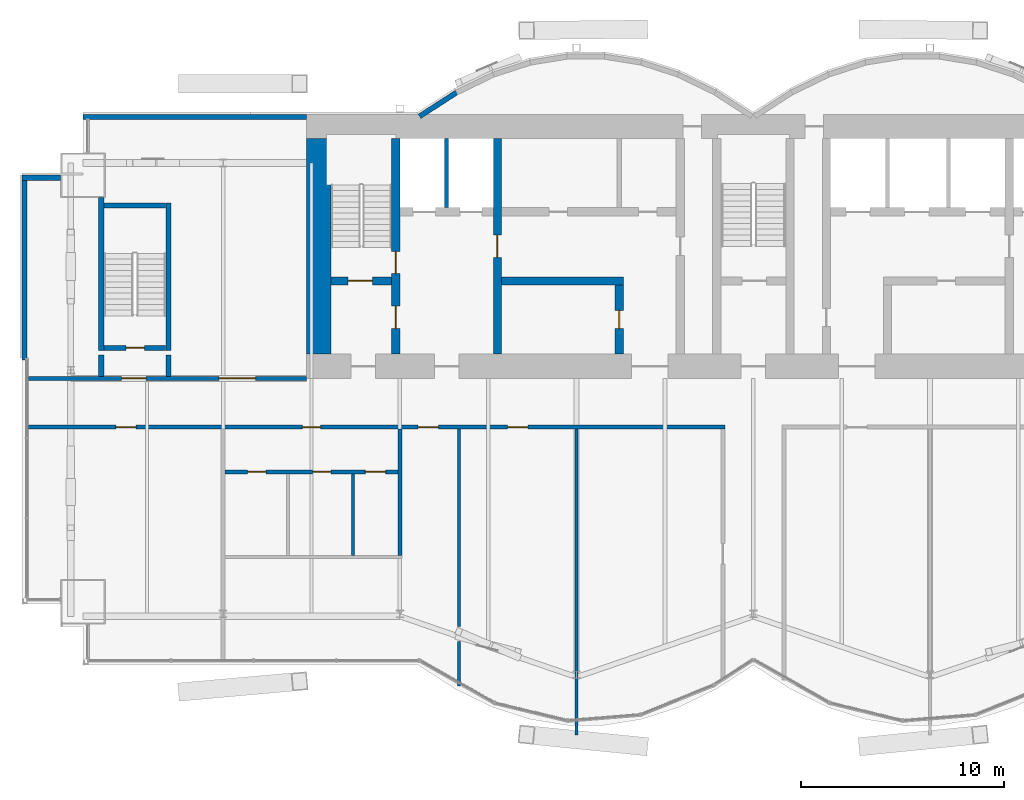
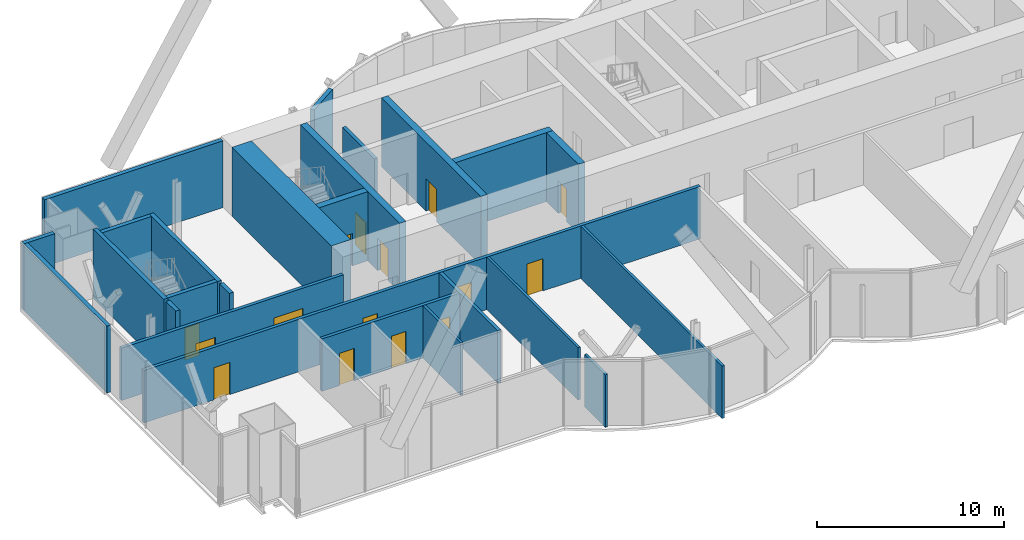
# One storey, part 13 of 19: 25 walls, 15 doors, 15 openings.
"""IFC4 building model written with IfcOpenShell, lengths in metres."""

from ifc_helpers import new_model, si_unit, direction, frame, frame_2d, origin, place, context, subcontext, project, spatial, rectangle, extrude, material, layer, layer_set, layer_usage, type_object, element, fill, save


model = new_model("IFC4")

# Units and contexts
model_context = context("Model", 3, precision=1e-05, world=origin(), true_north=direction((0.0, 1.0)))
body_context = subcontext(model_context, "Body", "Model", "MODEL_VIEW")
ifc_project = project(units=[si_unit("LENGTHUNIT", "METRE"), si_unit("AREAUNIT", "SQUARE_METRE"), si_unit("VOLUMEUNIT", "CUBIC_METRE"), si_unit("PLANEANGLEUNIT", "RADIAN"), si_unit("MASSUNIT", "GRAM", prefix="KILO")], contexts=[model_context])

# Site, building, storey
site_placement = place(None, origin())
site = spatial("IfcSite", under=ifc_project, at=site_placement, CompositionType="ELEMENT")
building_placement = place(site_placement, origin())
building = spatial("IfcBuilding", under=site, at=building_placement, Name="Bicima Exchange Tower", CompositionType="ELEMENT")
storey_placement = place(building_placement, frame((0.0, 0.0, 297.5)))
storey = spatial("IfcBuildingStorey", under=building, at=storey_placement, Name="L67", CompositionType="ELEMENT", Elevation=297.5)

# Wall
ifc_material_1 = material(Name="Gypsum board partition")
ifc_layer_1 = layer(ifc_material_1, 0.199951171875)
ifc_layer_set_1 = layer_set([ifc_layer_1], Name="Gypsum board partition")
wall_type_1 = type_object("IfcWallType", Name="Fire-rated gypsum partition 200 EI120", PredefinedType="PARTITIONING", material=ifc_layer_set_1)
wall_1_placement = place(storey_placement, frame((-15.10009765625, -4.60009765625, 0.0), z_axis=(0.0, 0.0, 1.0), x_axis=(0.0, 1.0, 0.0)))
element("IfcWall", 1, at=wall_1_placement, inside=storey, type_object=wall_type_1, Name="partition wall 9", PredefinedType="PARTITIONING", context=body_context, shape_type="SweptSolid", body=[
    extrude(rectangle(XDim=3.400146484375, YDim=0.199951171875, at=frame_2d((1.7001953125, 0.0))), origin(), (0.0, 0.0, 1.0), 3.418212890625),
])

# Wall, openings, doors
ifc_layer_2 = layer(ifc_material_1, 0.199951171875)
ifc_layer_set_2 = layer_set([ifc_layer_2], Name="Gypsum board partition")
wall_type_2 = type_object("IfcWallType", Name="Fire-rated gypsum partition 200 EI60", PredefinedType="PARTITIONING", material=ifc_layer_set_2)
wall_2_placement = place(storey_placement, frame((-26.0, -17.60009765625, 0.0), z_axis=(0.0, 0.0, 1.0), x_axis=(1.0, 0.0, 0.0)))
wall_2 = element("IfcWall", 2, at=wall_2_placement, inside=storey, type_object=wall_type_2, Name="partition wall 2", PredefinedType="PARTITIONING", context=body_context, shape_type="SweptSolid", body=[
    extrude(rectangle(XDim=8.5, YDim=0.199951171875, at=frame_2d((4.25, 0.0))), origin(), (0.0, 0.0, 1.0), 3.418212890625),
])
opening_1_placement = place(wall_2_placement, frame((1.10009765625, 0.0, 0.0)))
opening_1 = element("IfcOpeningElement", 3, at=opening_1_placement, cuts=wall_2, Name="Opening L67-009", PredefinedType="OPENING", context=body_context, shape_type="SweptSolid", body=[
    extrude(rectangle(XDim=0.89990234375, YDim=2.10009765625, at=frame_2d((0.449951171875, 1.050048828125))), frame((0.0, 0.11181640625, 0.0), z_axis=(0.0, -1.0, 0.0), x_axis=(1.0, 0.0, 0.0)), (0.0, 0.0, 1.0), 0.223876953125),
])
opening_2_placement = place(wall_2_placement, frame((4.300048828125, 0.0, 0.0)))
opening_2 = element("IfcOpeningElement", 4, at=opening_2_placement, cuts=wall_2, Name="Opening L67-010", PredefinedType="OPENING", context=body_context, shape_type="SweptSolid", body=[
    extrude(rectangle(XDim=0.89990234375, YDim=2.10009765625, at=frame_2d((0.449951171875, 1.050048828125))), frame((0.0, 0.11181640625, 0.0), z_axis=(0.0, -1.0, 0.0), x_axis=(1.0, 0.0, 0.0)), (0.0, 0.0, 1.0), 0.223876953125),
])
opening_3_placement = place(wall_2_placement, frame((6.89990234375, 0.0, 0.0)))
opening_3 = element("IfcOpeningElement", 5, at=opening_3_placement, cuts=wall_2, Name="Opening L67-011", PredefinedType="OPENING", context=body_context, shape_type="SweptSolid", body=[
    extrude(rectangle(XDim=1.0, YDim=2.10009765625, at=frame_2d((0.5, 1.050048828125))), frame((0.0, 0.11181640625, 0.0), z_axis=(0.0, -1.0, 0.0), x_axis=(1.0, 0.0, 0.0)), (0.0, 0.0, 1.0), 0.223876953125),
])
ifc_material_2 = material(Name="Steel fire door leaf", Category="steel")
door_type_1 = type_object("IfcDoorType", Name="Door 1000 swing FD30S", OperationType="SINGLE_SWING_LEFT", PredefinedType="DOOR", material=ifc_material_2)
door_1_placement = place(opening_3_placement, frame((1.0, 0.0, 0.0), z_axis=(0.0, 0.0, 1.0), x_axis=(-1.0, 0.0, 0.0)))
door_1 = element("IfcDoor", 6, at=door_1_placement, inside=storey, type_object=door_type_1, Name="Door", OperationType="SINGLE_SWING_RIGHT", OverallHeight=2.10009765625, OverallWidth=1.0, PredefinedType="DOOR", context=body_context, shape_type="SweptSolid", body=[
    extrude(rectangle(XDim=1.0, YDim=2.10009765625, at=frame_2d((0.5, 1.050048828125))), frame((0.0, 0.02490234375, 0.0), z_axis=(0.0, -1.0, 0.0), x_axis=(1.0, 0.0, 0.0)), (0.0, 0.0, 1.0), 0.050048828125),
])
fill(opening_3, door_1)
door_type_2 = type_object("IfcDoorType", Name="Door 900 swing FD30S", OperationType="SINGLE_SWING_LEFT", PredefinedType="DOOR", material=ifc_material_2)
door_2_placement = place(opening_1_placement, frame((0.89990234375, 0.0, 0.0), z_axis=(0.0, 0.0, 1.0), x_axis=(-1.0, 0.0, 0.0)))
door_2 = element("IfcDoor", 7, at=door_2_placement, inside=storey, type_object=door_type_2, Name="Door", OperationType="SINGLE_SWING_RIGHT", OverallHeight=2.10009765625, OverallWidth=0.89990234375, PredefinedType="DOOR", context=body_context, shape_type="SweptSolid", body=[
    extrude(rectangle(XDim=0.89990234375, YDim=2.10009765625, at=frame_2d((0.449951171875, 1.050048828125))), frame((0.0, 0.02490234375, 0.0), z_axis=(0.0, -1.0, 0.0), x_axis=(1.0, 0.0, 0.0)), (0.0, 0.0, 1.0), 0.050048828125),
])
fill(opening_1, door_2)
door_3_placement = place(opening_2_placement, frame((0.89990234375, 0.0, 0.0), z_axis=(0.0, 0.0, 1.0), x_axis=(-1.0, 0.0, 0.0)))
door_3 = element("IfcDoor", 8, at=door_3_placement, inside=storey, type_object=door_type_2, Name="Door", OperationType="SINGLE_SWING_LEFT", OverallHeight=2.10009765625, OverallWidth=0.89990234375, PredefinedType="DOOR", context=body_context, shape_type="SweptSolid", body=[
    extrude(rectangle(XDim=0.89990234375, YDim=2.10009765625, at=frame_2d((0.449951171875, 1.050048828125))), frame((0.0, 0.02490234375, 0.0), z_axis=(0.0, -1.0, 0.0), x_axis=(1.0, 0.0, 0.0)), (0.0, 0.0, 1.0), 0.050048828125),
])
fill(opening_2, door_3)

wall_3_placement = place(storey_placement, frame((-35.679931640625, -15.39990234375, 0.0), z_axis=(0.0, 0.0, 1.0), x_axis=(1.0, 0.0, 0.0)))
wall_3 = element("IfcWall", 9, at=wall_3_placement, inside=storey, type_object=wall_type_2, Name="partition wall 3", PredefinedType="PARTITIONING", context=body_context, shape_type="SweptSolid", body=[
    extrude(rectangle(XDim=34.280029296875, YDim=0.199951171875, at=frame_2d((17.14013671875, 0.0))), origin(), (0.0, 0.0, 1.0), 3.418212890625),
])
opening_4_placement = place(wall_3_placement, frame((4.300048828125, 0.0, 0.0)))
opening_4 = element("IfcOpeningElement", 10, at=opening_4_placement, cuts=wall_3, Name="Opening L67-007", PredefinedType="OPENING", context=body_context, shape_type="SweptSolid", body=[
    extrude(rectangle(XDim=1.0, YDim=2.10009765625, at=frame_2d((0.5, 1.050048828125))), frame((0.0, 0.11181640625, 0.0), z_axis=(0.0, -1.0, 0.0), x_axis=(1.0, 0.0, 0.0)), (0.0, 0.0, 1.0), 0.223876953125),
])
opening_5_placement = place(wall_3_placement, frame((13.47998046875, 0.0, 0.0)))
opening_5 = element("IfcOpeningElement", 11, at=opening_5_placement, cuts=wall_3, Name="Opening L67-008", PredefinedType="OPENING", context=body_context, shape_type="SweptSolid", body=[
    extrude(rectangle(XDim=0.89990234375, YDim=2.10009765625, at=frame_2d((0.449951171875, 1.050048828125))), frame((0.0, 0.11181640625, 0.0), z_axis=(0.0, -1.0, 0.0), x_axis=(1.0, 0.0, 0.0)), (0.0, 0.0, 1.0), 0.223876953125),
])
opening_6_placement = place(wall_3_placement, frame((19.179931640625, 0.0, 0.0)))
opening_6 = element("IfcOpeningElement", 12, at=opening_6_placement, cuts=wall_3, Name="Opening L67-012", PredefinedType="OPENING", context=body_context, shape_type="SweptSolid", body=[
    extrude(rectangle(XDim=1.0, YDim=2.10009765625, at=frame_2d((0.5, 1.050048828125))), frame((0.0, 0.11181640625, 0.0), z_axis=(0.0, -1.0, 0.0), x_axis=(1.0, 0.0, 0.0)), (0.0, 0.0, 1.0), 0.223876953125),
])
opening_7_placement = place(wall_3_placement, frame((23.580078125, 0.0, 0.0)))
opening_7 = element("IfcOpeningElement", 13, at=opening_7_placement, cuts=wall_3, Name="Opening L67-013", PredefinedType="OPENING", context=body_context, shape_type="SweptSolid", body=[
    extrude(rectangle(XDim=1.0, YDim=2.10009765625, at=frame_2d((0.5, 1.050048828125))), frame((0.0, 0.11181640625, 0.0), z_axis=(0.0, -1.0, 0.0), x_axis=(1.0, 0.0, 0.0)), (0.0, 0.0, 1.0), 0.223876953125),
])
door_4_placement = place(opening_4_placement, frame((1.0, 0.0, 0.0), z_axis=(0.0, 0.0, 1.0), x_axis=(-1.0, 0.0, 0.0)))
door_4 = element("IfcDoor", 14, at=door_4_placement, inside=storey, type_object=door_type_1, Name="Door", OperationType="SINGLE_SWING_LEFT", OverallHeight=2.10009765625, OverallWidth=1.0, PredefinedType="DOOR", context=body_context, shape_type="SweptSolid", body=[
    extrude(rectangle(XDim=1.0, YDim=2.10009765625, at=frame_2d((0.5, 1.050048828125))), frame((0.0, 0.02490234375, 0.0), z_axis=(0.0, -1.0, 0.0), x_axis=(1.0, 0.0, 0.0)), (0.0, 0.0, 1.0), 0.050048828125),
])
fill(opening_4, door_4)
door_5_placement = place(opening_6_placement, frame((1.0, 0.0, 0.0), z_axis=(0.0, 0.0, 1.0), x_axis=(-1.0, 0.0, 0.0)))
door_5 = element("IfcDoor", 15, at=door_5_placement, inside=storey, type_object=door_type_1, Name="Door", OperationType="SINGLE_SWING_RIGHT", OverallHeight=2.10009765625, OverallWidth=1.0, PredefinedType="DOOR", context=body_context, shape_type="SweptSolid", body=[
    extrude(rectangle(XDim=1.0, YDim=2.10009765625, at=frame_2d((0.5, 1.050048828125))), frame((0.0, 0.02490234375, 0.0), z_axis=(0.0, -1.0, 0.0), x_axis=(1.0, 0.0, 0.0)), (0.0, 0.0, 1.0), 0.050048828125),
])
fill(opening_6, door_5)
door_6_placement = place(opening_7_placement, frame((1.0, 0.0, 0.0), z_axis=(0.0, 0.0, 1.0), x_axis=(-1.0, 0.0, 0.0)))
door_6 = element("IfcDoor", 16, at=door_6_placement, inside=storey, type_object=door_type_1, Name="Door", OperationType="SINGLE_SWING_LEFT", OverallHeight=2.10009765625, OverallWidth=1.0, PredefinedType="DOOR", context=body_context, shape_type="SweptSolid", body=[
    extrude(rectangle(XDim=1.0, YDim=2.10009765625, at=frame_2d((0.5, 1.050048828125))), frame((0.0, 0.02490234375, 0.0), z_axis=(0.0, -1.0, 0.0), x_axis=(1.0, 0.0, 0.0)), (0.0, 0.0, 1.0), 0.050048828125),
])
fill(opening_7, door_6)
door_7_placement = place(opening_5_placement, frame((0.89990234375, 0.0, 0.0), z_axis=(0.0, 0.0, 1.0), x_axis=(-1.0, 0.0, 0.0)))
door_7 = element("IfcDoor", 17, at=door_7_placement, inside=storey, type_object=door_type_2, Name="Door", OperationType="SINGLE_SWING_RIGHT", OverallHeight=2.10009765625, OverallWidth=0.89990234375, PredefinedType="DOOR", context=body_context, shape_type="SweptSolid", body=[
    extrude(rectangle(XDim=0.89990234375, YDim=2.10009765625, at=frame_2d((0.449951171875, 1.050048828125))), frame((0.0, 0.02490234375, 0.0), z_axis=(0.0, -1.0, 0.0), x_axis=(1.0, 0.0, 0.0)), (0.0, 0.0, 1.0), 0.050048828125),
])
fill(opening_5, door_7)

wall_4_placement = place(storey_placement, frame((-35.679931640625, -13.0, 0.0), z_axis=(0.0, 0.0, 1.0), x_axis=(1.0, 0.0, 0.0)))
wall_4 = element("IfcWall", 18, at=wall_4_placement, inside=storey, type_object=wall_type_2, Name="partition wall 5", PredefinedType="PARTITIONING", context=body_context, shape_type="SweptSolid", body=[
    extrude(rectangle(XDim=13.679931640625, YDim=0.199951171875, at=frame_2d((6.83984375, 0.0))), origin(), (0.0, 0.0, 1.0), 3.418212890625),
])
opening_8_placement = place(wall_4_placement, frame((4.580078125, 0.0, 0.0)))
opening_8 = element("IfcOpeningElement", 19, at=opening_8_placement, cuts=wall_4, Name="Opening L67-001", PredefinedType="OPENING", context=body_context, shape_type="SweptSolid", body=[
    extrude(rectangle(XDim=1.199951171875, YDim=2.10009765625, at=frame_2d((0.60009765625, 1.050048828125))), frame((0.0, 0.11181640625, 0.0), z_axis=(0.0, -1.0, 0.0), x_axis=(1.0, 0.0, 0.0)), (0.0, 0.0, 1.0), 0.223876953125),
])
opening_9_placement = place(wall_4_placement, frame((9.3798828125, 0.0, 0.0)))
opening_9 = element("IfcOpeningElement", 20, at=opening_9_placement, cuts=wall_4, Name="Opening L67-005", PredefinedType="OPENING", context=body_context, shape_type="SweptSolid", body=[
    extrude(rectangle(XDim=1.800048828125, YDim=2.10009765625, at=frame_2d((0.89990234375, 1.050048828125))), frame((0.0, 0.11181640625, 0.0), z_axis=(0.0, -1.0, 0.0), x_axis=(1.0, 0.0, 0.0)), (0.0, 0.0, 1.0), 0.223876953125),
])
door_type_3 = type_object("IfcDoorType", Name="Door 1200 swing FD30S", OperationType="SINGLE_SWING_LEFT", PredefinedType="DOOR", material=ifc_material_2)
door_8_placement = place(opening_8_placement, origin())
door_8 = element("IfcDoor", 21, at=door_8_placement, inside=storey, type_object=door_type_3, Name="Door", OperationType="SINGLE_SWING_LEFT", OverallHeight=2.10009765625, OverallWidth=1.199951171875, PredefinedType="DOOR", context=body_context, shape_type="SweptSolid", body=[
    extrude(rectangle(XDim=1.199951171875, YDim=2.10009765625, at=frame_2d((0.60009765625, 1.050048828125))), frame((0.0, 0.02490234375, 0.0), z_axis=(0.0, -1.0, 0.0), x_axis=(1.0, 0.0, 0.0)), (0.0, 0.0, 1.0), 0.050048828125),
])
fill(opening_8, door_8)
door_type_4 = type_object("IfcDoorType", Name="Door 1800 double swing FD30S", OperationType="DOUBLE_DOOR_SINGLE_SWING", PredefinedType="DOOR", material=ifc_material_2)
door_9_placement = place(opening_9_placement, origin())
door_9 = element("IfcDoor", 22, at=door_9_placement, inside=storey, type_object=door_type_4, Name="Door", OperationType="SINGLE_SWING_LEFT", OverallHeight=2.10009765625, OverallWidth=1.800048828125, PredefinedType="DOOR", context=body_context, shape_type="SweptSolid", body=[
    extrude(rectangle(XDim=1.800048828125, YDim=2.10009765625, at=frame_2d((0.89990234375, 1.050048828125))), frame((0.0, 0.02490234375, 0.0), z_axis=(0.0, -1.0, 0.0), x_axis=(1.0, 0.0, 0.0)), (0.0, 0.0, 1.0), 0.050048828125),
])
fill(opening_9, door_9)

# Walls
wall_5_placement = place(storey_placement, frame((-17.39990234375, -21.72509765625, 0.0), z_axis=(0.0, 0.0, 1.0), x_axis=(0.0, 1.0, 0.0)))
element("IfcWall", 23, at=wall_5_placement, inside=storey, type_object=wall_type_2, Name="partition wall 16", PredefinedType="PARTITIONING", context=body_context, shape_type="SweptSolid", body=[
    extrude(rectangle(XDim=6.22509765625, YDim=0.199951171875, at=frame_2d((3.112548828125, 0.0))), origin(), (0.0, 0.0, 1.0), 3.418212890625),
])
ifc_layer_3 = layer(ifc_material_1, 0.14990234375)
ifc_layer_set_3 = layer_set([ifc_layer_3], Name="Gypsum board partition")
wall_type_3 = type_object("IfcWallType", Name="Gypsum partition 150", PredefinedType="PARTITIONING", material=ifc_layer_set_3)
wall_6_placement = place(storey_placement, frame((-19.699951171875, -21.72509765625, 0.0), z_axis=(0.0, 0.0, 1.0), x_axis=(0.0, 1.0, 0.0)))
element("IfcWall", 24, at=wall_6_placement, inside=storey, type_object=wall_type_3, Name="partition wall 15", PredefinedType="PARTITIONING", context=body_context, shape_type="SweptSolid", body=[
    extrude(rectangle(XDim=4.025146484375, YDim=0.14990234375, at=frame_2d((2.0126953125, 0.0))), origin(), (0.0, 0.0, 1.0), 3.418212890625),
])
wall_7_placement = place(storey_placement, frame((-14.5, -28.14990234375, 0.0), z_axis=(0.0, 0.0, 1.0), x_axis=(0.0, 1.0, 0.0)))
element("IfcWall", 25, at=wall_7_placement, inside=storey, type_object=wall_type_3, Name="partition wall 17", PredefinedType="PARTITIONING", context=body_context, shape_type="SweptSolid", body=[
    extrude(rectangle(XDim=2.200927734375, YDim=0.14990234375, at=frame_2d((1.1005859375, 0.0))), origin(), (0.0, 0.0, 1.0), 3.418212890625),
])
wall_8_placement = place(storey_placement, frame((-14.5, -25.22314453125, 0.0), z_axis=(0.0, 0.0, 1.0), x_axis=(0.0, 1.0, 0.0)))
element("IfcWall", 26, at=wall_8_placement, inside=storey, type_object=wall_type_3, Name="partition wall 18", PredefinedType="PARTITIONING", context=body_context, shape_type="SweptSolid", body=[
    extrude(rectangle(XDim=9.72314453125, YDim=0.14990234375, at=frame_2d((4.861572265625, 0.0))), origin(), (0.0, 0.0, 1.0), 3.418212890625),
])
wall_9_placement = place(storey_placement, frame((-8.699951171875, -30.557861328125, 0.0), z_axis=(0.0, 0.0, 1.0), x_axis=(0.0, 1.0, 0.0)))
element("IfcWall", 27, at=wall_9_placement, inside=storey, type_object=wall_type_3, Name="partition wall 19", PredefinedType="PARTITIONING", context=body_context, shape_type="SweptSolid", body=[
    extrude(rectangle(XDim=15.057861328125, YDim=0.14990234375, at=frame_2d((7.52880859375, 0.0))), origin(), (0.0, 0.0, 1.0), 3.418212890625),
])
ifc_material_3 = material(Name="Concrete C40/50", Category="concrete")
ifc_layer_4 = layer(ifc_material_3, 1.199951171875)
ifc_layer_set_4 = layer_set([ifc_layer_4], Name="Concrete C40/50")
wall_type_4 = type_object("IfcWallType", Name="RC core wall 1200 C40/50", PredefinedType="SHEAR", material=ifc_layer_set_4)
wall_10_placement = place(storey_placement, frame((-21.39990234375, -11.800048828125, 0.0), z_axis=(0.0, 0.0, 1.0), x_axis=(0.0, 1.0, 0.0)))
element("IfcWall", 28, at=wall_10_placement, inside=storey, type_object=wall_type_4, Name="Core wall west", PredefinedType="SHEAR", context=body_context, shape_type="SweptSolid", body=[
    extrude(rectangle(XDim=10.60009765625, YDim=1.199951171875, at=frame_2d((5.300048828125, 0.0))), origin(), (0.0, 0.0, 1.0), 4.5),
])
ifc_material_4 = material(Name="Concrete C50/60", Category="concrete")
ifc_layer_5 = layer(ifc_material_4, 0.25)
ifc_layer_set_5 = layer_set([ifc_layer_5], Name="Concrete C50/60")
wall_type_5 = type_object("IfcWallType", Name="RC core wall 250 C50/60", PredefinedType="SHEAR", material=ifc_layer_set_5)
for number, where, z_axis, x_axis, name in (
    (29, (-32.10009765625, -12.89990234375, 0.0), (0.0, 0.0, 1.0), (0.0, 1.0, 0.0), "stair wall 11"),
    (30, (-28.800048828125, -12.89990234375, 0.0), (0.0, 0.0, 1.0), (0.0, 1.0, 0.0), "stair wall 12"),
):
    element("IfcWall", number, at=place(storey_placement, frame(where, z_axis=z_axis, x_axis=x_axis)), inside=storey, type_object=wall_type_5, Name=name, PredefinedType="SHEAR", context=body_context, shape_type="SweptSolid", body=[
        extrude(rectangle(XDim=1.0498046875, YDim=0.25, at=frame_2d((0.52490234375, 0.0))), origin(), (0.0, 0.0, 1.0), 4.5),
    ])
ifc_layer_6 = layer(ifc_material_3, 0.39990234375)
ifc_layer_set_6 = layer_set([ifc_layer_6], Name="Concrete C40/50")
wall_type_6 = type_object("IfcWallType", Name="RC core wall 400 C40/50", PredefinedType="SHEAR", material=ifc_layer_set_6)
wall_11_placement = place(storey_placement, frame((-12.39990234375, -8.199951171875, 0.0), z_axis=(0.0, 0.0, 1.0), x_axis=(1.0, 0.0, 0.0)))
element("IfcWall", 31, at=wall_11_placement, inside=storey, type_object=wall_type_6, Name="shear wall 2", PredefinedType="SHEAR", context=body_context, shape_type="SweptSolid", body=[
    extrude(rectangle(XDim=6.0, YDim=0.39990234375, at=frame_2d((3.0, 0.0))), origin(), (0.0, 0.0, 1.0), 4.5),
])

# Wall, opening, door
wall_12_placement = place(storey_placement, frame((-12.60009765625, -11.800048828125, 0.0), z_axis=(0.0, 0.0, 1.0), x_axis=(0.0, 1.0, 0.0)))
wall_12 = element("IfcWall", 32, at=wall_12_placement, inside=storey, type_object=wall_type_6, Name="shear wall 10", PredefinedType="SHEAR", context=body_context, shape_type="SweptSolid", body=[
    extrude(rectangle(XDim=10.60009765625, YDim=0.39990234375, at=frame_2d((5.300048828125, 0.0))), origin(), (0.0, 0.0, 1.0), 4.5),
])
opening_10_placement = place(wall_12_placement, frame((4.75, 0.0, 0.0)))
opening_10 = element("IfcOpeningElement", 33, at=opening_10_placement, cuts=wall_12, Name="Opening L67-C07", PredefinedType="OPENING", context=body_context, shape_type="SweptSolid", body=[
    extrude(rectangle(XDim=1.10009765625, YDim=2.10009765625, at=frame_2d((0.550048828125, 1.050048828125))), frame((0.0, 0.2119140625, 0.0), z_axis=(0.0, -1.0, 0.0), x_axis=(1.0, 0.0, 0.0)), (0.0, 0.0, 1.0), 0.423828125),
])
door_type_5 = type_object("IfcDoorType", Name="Door 1100 swing FD60S", OperationType="SINGLE_SWING_LEFT", PredefinedType="DOOR", material=ifc_material_2)
door_10_placement = place(opening_10_placement, origin())
door_10 = element("IfcDoor", 34, at=door_10_placement, inside=storey, type_object=door_type_5, Name="Core door", OperationType="SINGLE_SWING_LEFT", OverallHeight=2.10009765625, OverallWidth=1.10009765625, PredefinedType="DOOR", context=body_context, shape_type="SweptSolid", body=[
    extrude(rectangle(XDim=1.10009765625, YDim=2.10009765625, at=frame_2d((0.550048828125, 1.050048828125))), frame((0.0, 0.02490234375, 0.0), z_axis=(0.0, -1.0, 0.0), x_axis=(1.0, 0.0, 0.0)), (0.0, 0.0, 1.0), 0.050048828125),
])
fill(opening_10, door_10)

wall_13_placement = place(storey_placement, frame((-6.60009765625, -11.800048828125, 0.0), z_axis=(0.0, 0.0, 1.0), x_axis=(0.0, 1.0, 0.0)))
wall_13 = element("IfcWall", 35, at=wall_13_placement, inside=storey, type_object=wall_type_6, Name="shear wall 11", PredefinedType="SHEAR", context=body_context, shape_type="SweptSolid", body=[
    extrude(rectangle(XDim=3.400146484375, YDim=0.39990234375, at=frame_2d((1.7001953125, 0.0))), origin(), (0.0, 0.0, 1.0), 4.5),
])
opening_11_placement = place(wall_13_placement, frame((1.25, 0.0, 0.0)))
opening_11 = element("IfcOpeningElement", 36, at=opening_11_placement, cuts=wall_13, Name="Opening L67-C14", PredefinedType="OPENING", context=body_context, shape_type="SweptSolid", body=[
    extrude(rectangle(XDim=0.89990234375, YDim=2.10009765625, at=frame_2d((0.449951171875, 1.050048828125))), frame((0.0, 0.2119140625, 0.0), z_axis=(0.0, -1.0, 0.0), x_axis=(1.0, 0.0, 0.0)), (0.0, 0.0, 1.0), 0.423828125),
])
door_11_placement = place(opening_11_placement, origin())
door_11 = element("IfcDoor", 37, at=door_11_placement, inside=storey, type_object=door_type_2, Name="Core door", OperationType="SINGLE_SWING_RIGHT", OverallHeight=2.10009765625, OverallWidth=0.89990234375, PredefinedType="DOOR", context=body_context, shape_type="SweptSolid", body=[
    extrude(rectangle(XDim=0.89990234375, YDim=2.10009765625, at=frame_2d((0.449951171875, 1.050048828125))), frame((0.0, 0.02490234375, 0.0), z_axis=(0.0, -1.0, 0.0), x_axis=(1.0, 0.0, 0.0)), (0.0, 0.0, 1.0), 0.050048828125),
])
fill(opening_11, door_11)

ifc_layer_7 = layer(ifc_material_4, 0.39990234375)
ifc_layer_set_7 = layer_set([ifc_layer_7], Name="Concrete C50/60")
wall_type_7 = type_object("IfcWallType", Name="RC core wall 400 C50/60", PredefinedType="SHEAR", material=ifc_layer_set_7)
wall_14_placement = place(storey_placement, frame((-20.800048828125, -8.199951171875, 0.0), z_axis=(0.0, 0.0, 1.0), x_axis=(1.0, 0.0, 0.0)))
wall_14 = element("IfcWall", 38, at=wall_14_placement, inside=storey, type_object=wall_type_7, Name="stair wall 1", PredefinedType="SHEAR", context=body_context, shape_type="SweptSolid", body=[
    extrude(rectangle(XDim=3.0, YDim=0.39990234375, at=frame_2d((1.5, 0.0))), origin(), (0.0, 0.0, 1.0), 4.5),
])
opening_12_placement = place(wall_14_placement, frame((0.85009765625, 0.0, 0.0)))
opening_12 = element("IfcOpeningElement", 39, at=opening_12_placement, cuts=wall_14, Name="Opening L67-C01", PredefinedType="OPENING", context=body_context, shape_type="SweptSolid", body=[
    extrude(rectangle(XDim=1.199951171875, YDim=2.10009765625, at=frame_2d((0.60009765625, 1.050048828125))), frame((0.0, 0.2119140625, 0.0), z_axis=(0.0, -1.0, 0.0), x_axis=(1.0, 0.0, 0.0)), (0.0, 0.0, 1.0), 0.423828125),
])
door_type_6 = type_object("IfcDoorType", Name="Door 1200 swing FD60S", OperationType="SINGLE_SWING_LEFT", PredefinedType="DOOR", material=ifc_material_2)
door_12_placement = place(opening_12_placement, origin())
door_12 = element("IfcDoor", 40, at=door_12_placement, inside=storey, type_object=door_type_6, Name="Core door", OperationType="SINGLE_SWING_LEFT", OverallHeight=2.10009765625, OverallWidth=1.199951171875, PredefinedType="DOOR", context=body_context, shape_type="SweptSolid", body=[
    extrude(rectangle(XDim=1.199951171875, YDim=2.10009765625, at=frame_2d((0.60009765625, 1.050048828125))), frame((0.0, 0.02490234375, 0.0), z_axis=(0.0, -1.0, 0.0), x_axis=(1.0, 0.0, 0.0)), (0.0, 0.0, 1.0), 0.050048828125),
])
fill(opening_12, door_12)

# Wall, openings, doors
wall_15_placement = place(storey_placement, frame((-17.60009765625, -11.800048828125, 0.0), z_axis=(0.0, 0.0, 1.0), x_axis=(0.0, 1.0, 0.0)))
wall_15 = element("IfcWall", 41, at=wall_15_placement, inside=storey, type_object=wall_type_7, Name="stair wall 8", PredefinedType="SHEAR", context=body_context, shape_type="SweptSolid", body=[
    extrude(rectangle(XDim=10.60009765625, YDim=0.39990234375, at=frame_2d((5.300048828125, 0.0))), origin(), (0.0, 0.0, 1.0), 4.5),
])
opening_13_placement = place(wall_15_placement, frame((1.25, 0.0, 0.0)))
opening_13 = element("IfcOpeningElement", 42, at=opening_13_placement, cuts=wall_15, Name="Opening L67-C02", PredefinedType="OPENING", context=body_context, shape_type="SweptSolid", body=[
    extrude(rectangle(XDim=1.10009765625, YDim=2.10009765625, at=frame_2d((0.550048828125, 1.050048828125))), frame((0.0, 0.2119140625, 0.0), z_axis=(0.0, -1.0, 0.0), x_axis=(1.0, 0.0, 0.0)), (0.0, 0.0, 1.0), 0.423828125),
])
opening_14_placement = place(wall_15_placement, frame((3.949951171875, 0.0, 0.0)))
opening_14 = element("IfcOpeningElement", 43, at=opening_14_placement, cuts=wall_15, Name="Opening L67-C06", PredefinedType="OPENING", context=body_context, shape_type="SweptSolid", body=[
    extrude(rectangle(XDim=1.10009765625, YDim=2.10009765625, at=frame_2d((0.550048828125, 1.050048828125))), frame((0.0, 0.2119140625, 0.0), z_axis=(0.0, -1.0, 0.0), x_axis=(1.0, 0.0, 0.0)), (0.0, 0.0, 1.0), 0.423828125),
])
door_13_placement = place(opening_13_placement, frame((1.10009765625, 0.0, 0.0), z_axis=(0.0, 0.0, 1.0), x_axis=(-1.0, 0.0, 0.0)))
door_13 = element("IfcDoor", 44, at=door_13_placement, inside=storey, type_object=door_type_5, Name="Core door", OperationType="SINGLE_SWING_LEFT", OverallHeight=2.10009765625, OverallWidth=1.10009765625, PredefinedType="DOOR", context=body_context, shape_type="SweptSolid", body=[
    extrude(rectangle(XDim=1.10009765625, YDim=2.10009765625, at=frame_2d((0.550048828125, 1.050048828125))), frame((0.0, 0.02490234375, 0.0), z_axis=(0.0, -1.0, 0.0), x_axis=(1.0, 0.0, 0.0)), (0.0, 0.0, 1.0), 0.050048828125),
])
fill(opening_13, door_13)
door_14_placement = place(opening_14_placement, frame((1.10009765625, 0.0, 0.0), z_axis=(0.0, 0.0, 1.0), x_axis=(-1.0, 0.0, 0.0)))
door_14 = element("IfcDoor", 45, at=door_14_placement, inside=storey, type_object=door_type_5, Name="Core door", OperationType="SINGLE_SWING_LEFT", OverallHeight=2.10009765625, OverallWidth=1.10009765625, PredefinedType="DOOR", context=body_context, shape_type="SweptSolid", body=[
    extrude(rectangle(XDim=1.10009765625, YDim=2.10009765625, at=frame_2d((0.550048828125, 1.050048828125))), frame((0.0, 0.02490234375, 0.0), z_axis=(0.0, -1.0, 0.0), x_axis=(1.0, 0.0, 0.0)), (0.0, 0.0, 1.0), 0.050048828125),
])
fill(opening_14, door_14)

# Walls
ifc_layer_8 = layer(ifc_material_4, 0.25)
ifc_layer_set_8 = layer_set([ifc_layer_8], Name="Concrete C50/60")
wall_type_8 = type_object("IfcWallType", Name="RC stair enclosure wall 250 C50/60", PredefinedType="SHEAR", material=ifc_layer_set_8)
wall_16_placement = place(storey_placement, frame((-32.10009765625, -11.625, 0.0), z_axis=(0.0, 0.0, 1.0), x_axis=(0.0, 1.0, 0.0)))
element("IfcWall", 46, at=wall_16_placement, inside=storey, type_object=wall_type_8, Name="West end exit stair wall W", PredefinedType="SHEAR", context=body_context, shape_type="SweptSolid", body=[
    extrude(rectangle(XDim=7.52490234375, YDim=0.25, at=frame_2d((3.762451171875, 0.0))), origin(), (0.0, 0.0, 1.0), 4.5),
])
wall_17_placement = place(storey_placement, frame((-28.800048828125, -11.625, 0.0), z_axis=(0.0, 0.0, 1.0), x_axis=(0.0, 1.0, 0.0)))
element("IfcWall", 47, at=wall_17_placement, inside=storey, type_object=wall_type_8, Name="West end exit stair wall E", PredefinedType="SHEAR", context=body_context, shape_type="SweptSolid", body=[
    extrude(rectangle(XDim=7.25, YDim=0.25, at=frame_2d((3.625, 0.0))), origin(), (0.0, 0.0, 1.0), 4.5),
])

# Wall, opening, door
wall_18_placement = place(storey_placement, frame((-31.97509765625, -11.5, 0.0), z_axis=(0.0, 0.0, 1.0), x_axis=(1.0, 0.0, 0.0)))
wall_18 = element("IfcWall", 48, at=wall_18_placement, inside=storey, type_object=wall_type_8, Name="West end exit stair wall S", PredefinedType="SHEAR", context=body_context, shape_type="SweptSolid", body=[
    extrude(rectangle(XDim=3.050048828125, YDim=0.25, at=frame_2d((1.52490234375, 0.0))), origin(), (0.0, 0.0, 1.0), 4.5),
])
opening_15_placement = place(wall_18_placement, frame((1.10009765625, 0.0, 0.0)))
opening_15 = element("IfcOpeningElement", 49, at=opening_15_placement, cuts=wall_18, Name="Opening L67-002", PredefinedType="OPENING", context=body_context, shape_type="SweptSolid", body=[
    extrude(rectangle(XDim=0.89990234375, YDim=2.10009765625, at=frame_2d((0.449951171875, 1.050048828125))), frame((0.0, 0.136962890625, 0.0), z_axis=(0.0, -1.0, 0.0), x_axis=(1.0, 0.0, 0.0)), (0.0, 0.0, 1.0), 0.27392578125),
])
door_type_7 = type_object("IfcDoorType", Name="Door 900 swing FD60S", OperationType="SINGLE_SWING_LEFT", PredefinedType="DOOR", material=ifc_material_2)
door_15_placement = place(opening_15_placement, origin())
door_15 = element("IfcDoor", 50, at=door_15_placement, inside=storey, type_object=door_type_7, Name="Door", OperationType="SINGLE_SWING_LEFT", OverallHeight=2.10009765625, OverallWidth=0.89990234375, PredefinedType="DOOR", context=body_context, shape_type="SweptSolid", body=[
    extrude(rectangle(XDim=0.89990234375, YDim=2.10009765625, at=frame_2d((0.449951171875, 1.050048828125))), frame((0.0, 0.02490234375, 0.0), z_axis=(0.0, -1.0, 0.0), x_axis=(1.0, 0.0, 0.0)), (0.0, 0.0, 1.0), 0.050048828125),
])
fill(opening_15, door_15)

# Walls
wall_19_placement = place(storey_placement, frame((-31.97509765625, -4.5, 0.0), z_axis=(0.0, 0.0, 1.0), x_axis=(1.0, 0.0, 0.0)))
element("IfcWall", 51, at=wall_19_placement, inside=storey, type_object=wall_type_8, Name="West end exit stair wall N", PredefinedType="SHEAR", context=body_context, shape_type="SweptSolid", body=[
    extrude(rectangle(XDim=3.050048828125, YDim=0.25, at=frame_2d((1.52490234375, 0.0))), origin(), (0.0, 0.0, 1.0), 4.5),
])
ifc_layer_9 = layer(ifc_material_3, 0.25)
ifc_layer_set_9 = layer_set([ifc_layer_9], Name="Concrete C40/50")
ifc_layer_usage = layer_usage(ifc_layer_set_9, "AXIS2", "POSITIVE", -0.125)
wall_type_9 = type_object("IfcWallType", Name="Rear backup wall 250", PredefinedType="STANDARD", material=ifc_layer_set_9)
wall_20_placement = place(storey_placement, frame((-14.598876953125, 1.080078125, 0.0), z_axis=(0.0, 0.0, 1.0), x_axis=(-0.83981312244, -0.542875602121, 0.0)))
element("IfcWall", 52, at=wall_20_placement, inside=storey, type_object=wall_type_9, material=ifc_layer_usage, Name="Rear backup wall L67 19", PredefinedType="STANDARD", context=body_context, shape_type="SweptSolid", body=[
    extrude(rectangle(XDim=2.182861328125, YDim=0.25, at=frame_2d((1.09130859375, 0.0))), origin(), (0.0, 0.0, 1.0), 4.35009765625),
])
wall_21_placement = place(storey_placement, frame((-22.0, -0.125, 0.0), z_axis=(0.0, 0.0, 1.0), x_axis=(-1.0, 0.0, 0.0)))
element("IfcWall", 53, at=wall_21_placement, inside=storey, type_object=wall_type_9, material=ifc_layer_usage, Name="Rear backup wall L67 20", PredefinedType="STANDARD", context=body_context, shape_type="SweptSolid", body=[
    extrude(rectangle(XDim=11.0, YDim=0.25, at=frame_2d((5.5, 0.0))), origin(), (0.0, 0.0, 1.0), 4.35009765625),
])
wall_22_placement = place(storey_placement, frame((-34.10009765625, -3.125, 0.0), z_axis=(0.0, 0.0, 1.0), x_axis=(-1.0, 0.0, 0.0)))
element("IfcWall", 54, at=wall_22_placement, inside=storey, type_object=wall_type_9, material=ifc_layer_usage, Name="Rear backup wall L67 22", PredefinedType="STANDARD", context=body_context, shape_type="SweptSolid", body=[
    extrude(rectangle(XDim=1.89990234375, YDim=0.25, at=frame_2d((0.949951171875, 0.0))), origin(), (0.0, 0.0, 1.0), 4.35009765625),
])
wall_23_placement = place(storey_placement, frame((-35.875, -3.0, 0.0), z_axis=(0.0, 0.0, 1.0), x_axis=(0.0, -1.0, 0.0)))
element("IfcWall", 55, at=wall_23_placement, inside=storey, type_object=wall_type_9, material=ifc_layer_usage, Name="Rear backup wall L67 23", PredefinedType="STANDARD", context=body_context, shape_type="SweptSolid", body=[
    extrude(rectangle(XDim=9.090087890625, YDim=0.25, at=frame_2d((4.544921875, 0.0))), origin(), (0.0, 0.0, 1.0), 4.35009765625),
])

save(model, "model.ifc")
